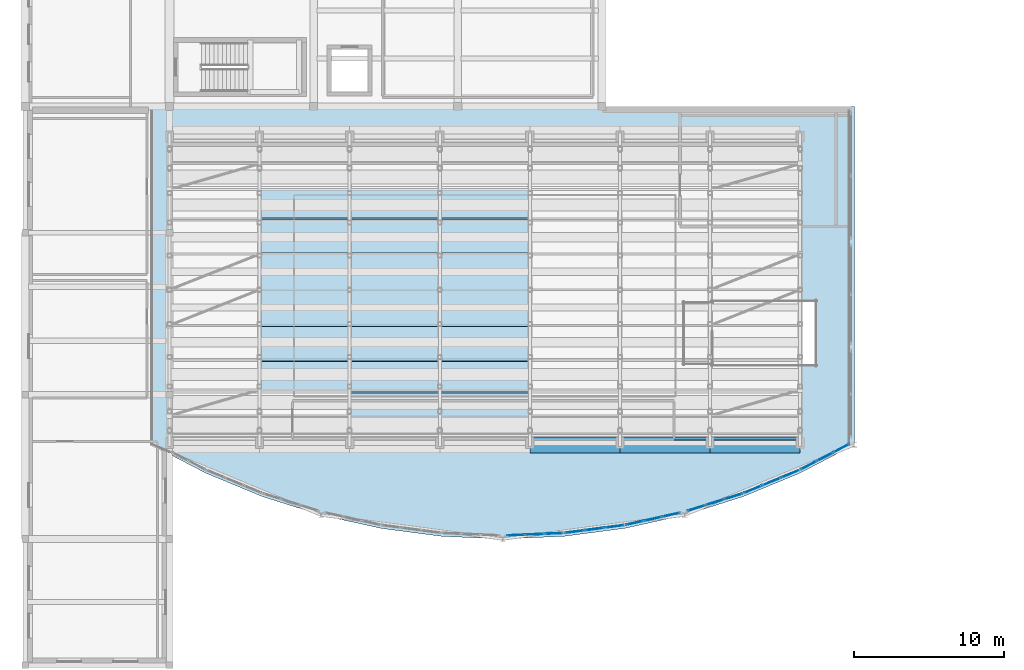
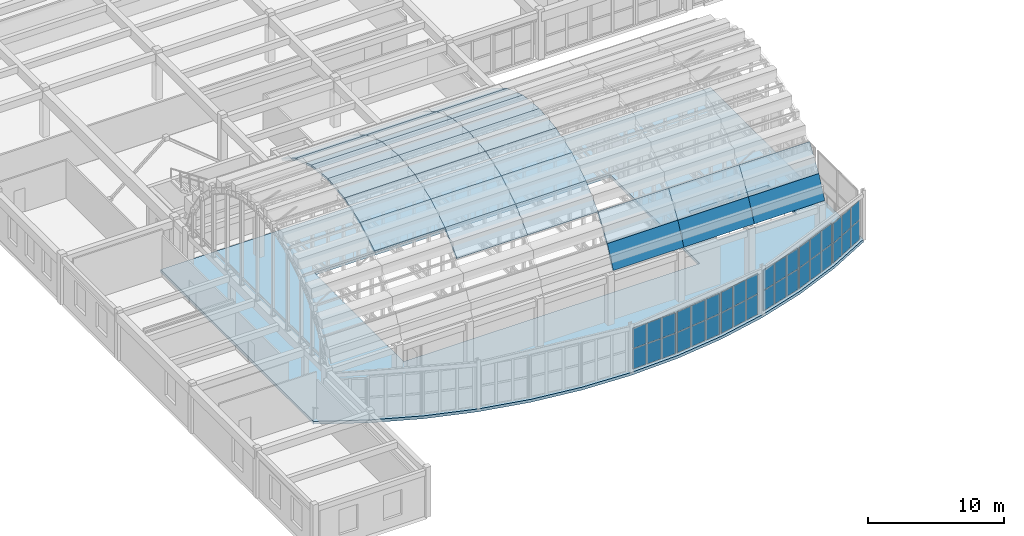
# One storey, part 57 of 91: 62 plates, 1 slab, 6 elements without a shape of their own.
"""IFC4 building model written with IfcOpenShell, lengths in metres."""

from ifc_helpers import new_model, si_unit, direction, frame, origin, origin_2d, place, context, subcontext, project, spatial, polyline, rectangle, outline, extrude, material, layer, layer_set, type_object, element, aggregate, save


model = new_model("IFC4")

# Units and contexts
model_context = context("Model", 3, precision=1e-05, world=origin(), true_north=direction((0.0, 1.0)))
body_context = subcontext(model_context, "Body", "Model", "MODEL_VIEW")
ifc_project = project(units=[si_unit("LENGTHUNIT", "METRE"), si_unit("AREAUNIT", "SQUARE_METRE"), si_unit("VOLUMEUNIT", "CUBIC_METRE"), si_unit("PLANEANGLEUNIT", "RADIAN"), si_unit("MASSUNIT", "GRAM", prefix="KILO")], contexts=[model_context])

# Site, building, storey
site_placement = place(None, origin())
site = spatial("IfcSite", under=ifc_project, at=site_placement, CompositionType="ELEMENT")
building_placement = place(site_placement, origin())
building = spatial("IfcBuilding", under=site, at=building_placement, Name="Tarnavel Promenade Courthouse", CompositionType="ELEMENT")
storey_placement = place(building_placement, frame((0.0, 0.0, 9.89990234375)))
storey = spatial("IfcBuildingStorey", under=building, at=storey_placement, Name="L03", CompositionType="ELEMENT", Elevation=9.89990234375)

# Slab
ifc_material_1 = material(Name="Concrete C40/50", Category="concrete")
ifc_layer_1 = layer(ifc_material_1, 0.260009765625)
ifc_layer_set_1 = layer_set([ifc_layer_1], Name="Concrete C40/50")
slab_type = type_object("IfcSlabType", Name="Concrete C40/50 SLB-PT-260 (260 mm)", PredefinedType="FLOOR", material=ifc_layer_set_1)
slab_placement = place(storey_placement, frame((0.0, 0.0, -0.260009765625)))
element("IfcSlab", 1, at=slab_placement, inside=storey, type_object=slab_type, Name="L03 Curved Public Hall Drum Slab", PredefinedType="FLOOR", context=body_context, shape_type="SweptSolid", body=[
    extrude(outline(polyline([(8.39990234375, 14.669921875), (12.021484375, 12.784912109375), (15.79345703125, 11.222412109375), (19.687255859375, 9.99462890625), (23.67333984375, 9.111083984375), (27.72119140625, 8.578125), (31.800048828125, 8.39990234375), (35.87890625, 8.578125), (39.9267578125, 9.111083984375), (43.912841796875, 9.99462890625), (47.806640625, 11.222412109375), (51.57861328125, 12.784912109375), (55.199951171875, 14.669921875), (55.199951171875, 37.199951171875), (8.39990234375, 37.199951171875), (8.39990234375, 14.669921875)]), holes=[polyline([(45.844970703125, 20.0), (52.60009765625, 20.0), (52.60009765625, 24.199951171875), (45.844970703125, 24.199951171875), (45.844970703125, 20.0)]), polyline([(18.0, 18.0), (43.199951171875, 18.0), (43.199951171875, 31.199951171875), (18.0, 31.199951171875), (18.0, 18.0)])]), origin(), (0.0, 0.0, 1.0), 0.260009765625),
])

# Plates
ifc_material_2 = material(Name="Standing-Seam Copper Insulated Roof Assembly")
ifc_layer_2 = layer(ifc_material_2, 0.179931640625)
ifc_layer_set_2 = layer_set([ifc_layer_2], Name="Standing-Seam Copper Insulated Roof Assembly")
plate_type_1 = type_object("IfcPlateType", Name="Standing-Seam Copper Insulated Roof Assembly PLT-VLT-V4-CROWN (180 mm)", PredefinedType="SHEET", material=ifc_layer_set_2)
plate_1_placement = place(storey_placement, frame((15.60009765625, 18.131591796875, 10.72314453125), z_axis=(0.0, -0.519833470276, 0.85426761801), x_axis=(1.0, 0.0, 0.0)))
element("IfcPlate", 2, at=plate_1_placement, inside=storey, type_object=plate_type_1, Name="Barrel Vault Roof Panel V4 Bay 02 Facet 04", PredefinedType="SHEET", context=body_context, shape_type="SweptSolid", body=[
    extrude(outline(polyline([(0.0, 0.0), (6.0, 0.0), (6.0, 2.457217210970626), (0.0, 2.457217210970626), (0.0, 0.0)])), origin(), (0.0, 0.0, -1.0), 0.179931640625),
])
plate_2_placement = place(storey_placement, frame((15.60009765625, 20.230712890625, 12.00048828125), z_axis=(0.0, -0.322063013242, 0.946718234483), x_axis=(1.0, 0.0, 0.0)))
element("IfcPlate", 3, at=plate_2_placement, inside=storey, type_object=plate_type_1, Name="Barrel Vault Roof Panel V4 Bay 02 Facet 05", PredefinedType="SHEET", context=body_context, shape_type="SweptSolid", body=[
    extrude(outline(polyline([(0.0, 0.0), (6.0, 0.0), (6.0, 2.457605728405247), (0.0, 2.457605728405247), (0.0, 0.0)])), origin(), (0.0, 0.0, -1.0), 0.179931640625),
])
for number, where, z_axis, x_axis, name in (
    (4, (15.60009765625, 22.557373046875, 12.7919921875), (0.0, -0.10909015314, 0.994031859896), (1.0, 0.0, 0.0), "Barrel Vault Roof Panel V4 Bay 02 Facet 06"),
    (5, (15.60009765625, 25.0, 13.06005859375), (0.0, 0.10909015314, 0.994031859896), (1.0, 0.0, 0.0), "Barrel Vault Roof Panel V4 Bay 02 Facet 07"),
):
    element("IfcPlate", number, at=place(storey_placement, frame(where, z_axis=z_axis, x_axis=x_axis)), inside=storey, type_object=plate_type_1, Name=name, PredefinedType="SHEET", context=body_context, shape_type="SweptSolid", body=[
        extrude(outline(polyline([(0.0, 0.0), (6.0, 0.0), (6.0, 2.457292418555942), (0.0, 2.457292418555942), (0.0, 0.0)])), origin(), (0.0, 0.0, -1.0), 0.179931640625),
    ])
plate_3_placement = place(storey_placement, frame((15.60009765625, 27.442626953125, 12.7919921875), z_axis=(0.0, 0.322063013242, 0.946718234483), x_axis=(1.0, 0.0, 0.0)))
element("IfcPlate", 6, at=plate_3_placement, inside=storey, type_object=plate_type_1, Name="Barrel Vault Roof Panel V4 Bay 02 Facet 08", PredefinedType="SHEET", context=body_context, shape_type="SweptSolid", body=[
    extrude(outline(polyline([(0.0, 0.0), (6.0, 0.0), (6.0, 2.457605728405247), (0.0, 2.457605728405247), (0.0, 0.0)])), origin(), (0.0, 0.0, -1.0), 0.179931640625),
])
for number, where, z_axis, x_axis, name in (
    (7, (15.60009765625, 29.769287109375, 12.00048828125), (0.0, 0.519833470276, 0.85426761801), (1.0, 0.0, 0.0), "Barrel Vault Roof Panel V4 Bay 02 Facet 09"),
    (8, (21.60009765625, 18.131591796875, 10.72314453125), (0.0, -0.519833470276, 0.85426761801), (1.0, 0.0, 0.0), "Barrel Vault Roof Panel V4 Bay 03 Facet 04"),
):
    element("IfcPlate", number, at=place(storey_placement, frame(where, z_axis=z_axis, x_axis=x_axis)), inside=storey, type_object=plate_type_1, Name=name, PredefinedType="SHEET", context=body_context, shape_type="SweptSolid", body=[
        extrude(outline(polyline([(0.0, 0.0), (6.0, 0.0), (6.0, 2.457217210970626), (0.0, 2.457217210970626), (0.0, 0.0)])), origin(), (0.0, 0.0, -1.0), 0.179931640625),
    ])
plate_4_placement = place(storey_placement, frame((21.60009765625, 20.230712890625, 12.00048828125), z_axis=(0.0, -0.322063013242, 0.946718234483), x_axis=(1.0, 0.0, 0.0)))
element("IfcPlate", 9, at=plate_4_placement, inside=storey, type_object=plate_type_1, Name="Barrel Vault Roof Panel V4 Bay 03 Facet 05", PredefinedType="SHEET", context=body_context, shape_type="SweptSolid", body=[
    extrude(outline(polyline([(0.0, 0.0), (6.0, 0.0), (6.0, 2.457605728405247), (0.0, 2.457605728405247), (0.0, 0.0)])), origin(), (0.0, 0.0, -1.0), 0.179931640625),
])
for number, where, z_axis, x_axis, name in (
    (10, (21.60009765625, 22.557373046875, 12.7919921875), (0.0, -0.10909015314, 0.994031859896), (1.0, 0.0, 0.0), "Barrel Vault Roof Panel V4 Bay 03 Facet 06"),
    (11, (21.60009765625, 25.0, 13.06005859375), (0.0, 0.10909015314, 0.994031859896), (1.0, 0.0, 0.0), "Barrel Vault Roof Panel V4 Bay 03 Facet 07"),
):
    element("IfcPlate", number, at=place(storey_placement, frame(where, z_axis=z_axis, x_axis=x_axis)), inside=storey, type_object=plate_type_1, Name=name, PredefinedType="SHEET", context=body_context, shape_type="SweptSolid", body=[
        extrude(outline(polyline([(0.0, 0.0), (6.0, 0.0), (6.0, 2.457292418555942), (0.0, 2.457292418555942), (0.0, 0.0)])), origin(), (0.0, 0.0, -1.0), 0.179931640625),
    ])
plate_5_placement = place(storey_placement, frame((21.60009765625, 27.442626953125, 12.7919921875), z_axis=(0.0, 0.322063013242, 0.946718234483), x_axis=(1.0, 0.0, 0.0)))
element("IfcPlate", 12, at=plate_5_placement, inside=storey, type_object=plate_type_1, Name="Barrel Vault Roof Panel V4 Bay 03 Facet 08", PredefinedType="SHEET", context=body_context, shape_type="SweptSolid", body=[
    extrude(outline(polyline([(0.0, 0.0), (6.0, 0.0), (6.0, 2.457605728405247), (0.0, 2.457605728405247), (0.0, 0.0)])), origin(), (0.0, 0.0, -1.0), 0.179931640625),
])
for number, where, z_axis, x_axis, name in (
    (13, (21.60009765625, 29.769287109375, 12.00048828125), (0.0, 0.519833470276, 0.85426761801), (1.0, 0.0, 0.0), "Barrel Vault Roof Panel V4 Bay 03 Facet 09"),
    (14, (27.60009765625, 18.131591796875, 10.72314453125), (0.0, -0.519833470276, 0.85426761801), (1.0, 0.0, 0.0), "Barrel Vault Roof Panel V4 Bay 04 Facet 04"),
):
    element("IfcPlate", number, at=place(storey_placement, frame(where, z_axis=z_axis, x_axis=x_axis)), inside=storey, type_object=plate_type_1, Name=name, PredefinedType="SHEET", context=body_context, shape_type="SweptSolid", body=[
        extrude(outline(polyline([(0.0, 0.0), (6.0, 0.0), (6.0, 2.457217210970626), (0.0, 2.457217210970626), (0.0, 0.0)])), origin(), (0.0, 0.0, -1.0), 0.179931640625),
    ])
plate_6_placement = place(storey_placement, frame((27.60009765625, 20.230712890625, 12.00048828125), z_axis=(0.0, -0.322063013242, 0.946718234483), x_axis=(1.0, 0.0, 0.0)))
element("IfcPlate", 15, at=plate_6_placement, inside=storey, type_object=plate_type_1, Name="Barrel Vault Roof Panel V4 Bay 04 Facet 05", PredefinedType="SHEET", context=body_context, shape_type="SweptSolid", body=[
    extrude(outline(polyline([(0.0, 0.0), (6.0, 0.0), (6.0, 2.457605728405247), (0.0, 2.457605728405247), (0.0, 0.0)])), origin(), (0.0, 0.0, -1.0), 0.179931640625),
])
for number, where, z_axis, x_axis, name in (
    (16, (27.60009765625, 22.557373046875, 12.7919921875), (0.0, -0.10909015314, 0.994031859896), (1.0, 0.0, 0.0), "Barrel Vault Roof Panel V4 Bay 04 Facet 06"),
    (17, (27.60009765625, 25.0, 13.06005859375), (0.0, 0.10909015314, 0.994031859896), (1.0, 0.0, 0.0), "Barrel Vault Roof Panel V4 Bay 04 Facet 07"),
):
    element("IfcPlate", number, at=place(storey_placement, frame(where, z_axis=z_axis, x_axis=x_axis)), inside=storey, type_object=plate_type_1, Name=name, PredefinedType="SHEET", context=body_context, shape_type="SweptSolid", body=[
        extrude(outline(polyline([(0.0, 0.0), (6.0, 0.0), (6.0, 2.457292418555942), (0.0, 2.457292418555942), (0.0, 0.0)])), origin(), (0.0, 0.0, -1.0), 0.179931640625),
    ])
plate_7_placement = place(storey_placement, frame((27.60009765625, 27.442626953125, 12.7919921875), z_axis=(0.0, 0.322063013242, 0.946718234483), x_axis=(1.0, 0.0, 0.0)))
element("IfcPlate", 18, at=plate_7_placement, inside=storey, type_object=plate_type_1, Name="Barrel Vault Roof Panel V4 Bay 04 Facet 08", PredefinedType="SHEET", context=body_context, shape_type="SweptSolid", body=[
    extrude(outline(polyline([(0.0, 0.0), (6.0, 0.0), (6.0, 2.457605728405247), (0.0, 2.457605728405247), (0.0, 0.0)])), origin(), (0.0, 0.0, -1.0), 0.179931640625),
])
plate_8_placement = place(storey_placement, frame((27.60009765625, 29.769287109375, 12.00048828125), z_axis=(0.0, 0.519833470276, 0.85426761801), x_axis=(1.0, 0.0, 0.0)))
element("IfcPlate", 19, at=plate_8_placement, inside=storey, type_object=plate_type_1, Name="Barrel Vault Roof Panel V4 Bay 04 Facet 09", PredefinedType="SHEET", context=body_context, shape_type="SweptSolid", body=[
    extrude(outline(polyline([(0.0, 0.0), (6.0, 0.0), (6.0, 2.457217210970626), (0.0, 2.457217210970626), (0.0, 0.0)])), origin(), (0.0, 0.0, -1.0), 0.179931640625),
])
ifc_layer_3 = layer(ifc_material_2, 0.175048828125)
ifc_layer_set_3 = layer_set([ifc_layer_3], Name="Standing-Seam Copper Insulated Roof Assembly")
plate_type_2 = type_object("IfcPlateType", Name="Standing-Seam Copper Insulated Roof Assembly PLT-VLT-V4-LOW (175 mm)", PredefinedType="SHEET", material=ifc_layer_set_3)
for number, where, z_axis, x_axis, name in (
    (20, (21.60009765625, 16.359130859375, 9.020751953125), (0.0, -0.692707578218, 0.721218559855), (1.0, 0.0, 0.0), "Barrel Vault Roof Panel V4 Bay 03 Facet 03"),
    (21, (27.60009765625, 16.359130859375, 9.020751953125), (0.0, -0.692707578218, 0.721218559855), (1.0, 0.0, 0.0), "Barrel Vault Roof Panel V4 Bay 04 Facet 03"),
):
    element("IfcPlate", number, at=place(storey_placement, frame(where, z_axis=z_axis, x_axis=x_axis)), inside=storey, type_object=plate_type_2, Name=name, PredefinedType="SHEET", context=body_context, shape_type="SweptSolid", body=[
        extrude(outline(polyline([(0.0, 0.0), (6.0, 0.0), (6.0, 2.4575919647123), (0.0, 2.4575919647123), (0.0, 0.0)])), origin(), (0.0, 0.0, -1.0), 0.175048828125),
    ])
plate_9_placement = place(storey_placement, frame((33.60009765625, 14.11376953125, 5.080078125), z_axis=(0.0, -0.906108548718, 0.423045267011), x_axis=(1.0, 0.0, 0.0)))
element("IfcPlate", 22, at=plate_9_placement, inside=storey, type_object=plate_type_2, Name="Barrel Vault Roof Panel V4 Bay 05 Facet 01", PredefinedType="SHEET", context=body_context, shape_type="SweptSolid", body=[
    extrude(outline(polyline([(0.0, 0.0), (6.0, 0.0), (6.0, 2.0908435889725268), (0.0, 2.0908435889725268), (0.0, 0.0)])), origin(), (0.0, 0.0, -1.0), 0.175048828125),
])
plate_10_placement = place(storey_placement, frame((33.60009765625, 14.998291015625, 6.974609375), z_axis=(0.0, -0.83266118003, 0.553782772639), x_axis=(1.0, 0.0, 0.0)))
element("IfcPlate", 23, at=plate_10_placement, inside=storey, type_object=plate_type_2, Name="Barrel Vault Roof Panel V4 Bay 05 Facet 02", PredefinedType="SHEET", context=body_context, shape_type="SweptSolid", body=[
    extrude(outline(polyline([(0.0, 0.0), (6.0, 0.0), (6.0, 2.457353155399839), (0.0, 2.457353155399839), (0.0, 0.0)])), origin(), (0.0, 0.0, -1.0), 0.175048828125),
])
plate_11_placement = place(storey_placement, frame((39.60009765625, 14.11376953125, 5.080078125), z_axis=(0.0, -0.906108548718, 0.423045267011), x_axis=(1.0, 0.0, 0.0)))
element("IfcPlate", 24, at=plate_11_placement, inside=storey, type_object=plate_type_2, Name="Barrel Vault Roof Panel V4 Bay 06 Facet 01", PredefinedType="SHEET", context=body_context, shape_type="SweptSolid", body=[
    extrude(outline(polyline([(0.0, 0.0), (6.0, 0.0), (6.0, 2.0908435889725268), (0.0, 2.0908435889725268), (0.0, 0.0)])), origin(), (0.0, 0.0, -1.0), 0.175048828125),
])
plate_12_placement = place(storey_placement, frame((39.60009765625, 14.998291015625, 6.974609375), z_axis=(0.0, -0.83266118003, 0.553782772639), x_axis=(1.0, 0.0, 0.0)))
element("IfcPlate", 25, at=plate_12_placement, inside=storey, type_object=plate_type_2, Name="Barrel Vault Roof Panel V4 Bay 06 Facet 02", PredefinedType="SHEET", context=body_context, shape_type="SweptSolid", body=[
    extrude(outline(polyline([(0.0, 0.0), (6.0, 0.0), (6.0, 2.457353155399839), (0.0, 2.457353155399839), (0.0, 0.0)])), origin(), (0.0, 0.0, -1.0), 0.175048828125),
])
plate_13_placement = place(storey_placement, frame((45.60009765625, 14.11376953125, 5.080078125), z_axis=(0.0, -0.906108548718, 0.423045267011), x_axis=(1.0, 0.0, 0.0)))
element("IfcPlate", 26, at=plate_13_placement, inside=storey, type_object=plate_type_2, Name="Barrel Vault Roof Panel V4 Bay 07 Facet 01", PredefinedType="SHEET", context=body_context, shape_type="SweptSolid", body=[
    extrude(outline(polyline([(0.0, 0.0), (6.0, 0.0), (6.0, 2.0908435889725268), (0.0, 2.0908435889725268), (0.0, 0.0)])), origin(), (0.0, 0.0, -1.0), 0.175048828125),
])
plate_14_placement = place(storey_placement, frame((45.60009765625, 14.998291015625, 6.974609375), z_axis=(0.0, -0.83266118003, 0.553782772639), x_axis=(1.0, 0.0, 0.0)))
element("IfcPlate", 27, at=plate_14_placement, inside=storey, type_object=plate_type_2, Name="Barrel Vault Roof Panel V4 Bay 07 Facet 02", PredefinedType="SHEET", context=body_context, shape_type="SweptSolid", body=[
    extrude(outline(polyline([(0.0, 0.0), (6.0, 0.0), (6.0, 2.457353155399839), (0.0, 2.457353155399839), (0.0, 0.0)])), origin(), (0.0, 0.0, -1.0), 0.175048828125),
])

# Curtain wall, plates
ifc_material_3 = material(Name="Thermally Broken Anodised Aluminium Curtain Wall System", Category="aluminium")
ifc_layer_4 = layer(ifc_material_3, 0.219970703125)
ifc_layer_set_4 = layer_set([ifc_layer_4], Name="Thermally Broken Anodised Aluminium Curtain Wall System")
curtain_wall_type = type_object("IfcCurtainWallType", Name="Thermally Broken Aluminium Triple-Glazed Curtain Wall CW-DRUM", PredefinedType="NOTDEFINED", material=ifc_layer_set_4)
curtain_wall_1_placement = place(storey_placement, origin())
curtain_wall_1 = element("IfcCurtainWall", 28, at=curtain_wall_1_placement, inside=storey, type_object=curtain_wall_type, Name="L03 Public Hall Drum Curtain Wall 033", PredefinedType="NOTDEFINED")
ifc_material_4 = material(Name="Triple Low-E Argon Insulated Glazing", Category="glass")
ifc_layer_5 = layer(ifc_material_4, 0.048095703125)
ifc_layer_set_5 = layer_set([ifc_layer_5], Name="Triple Low-E Argon Insulated Glazing")
plate_type_3 = type_object("IfcPlateType", Name="Triple Low-E Argon Insulated Glazing Unit CWP-48 (48 mm)", PredefinedType="CURTAIN_PANEL", material=ifc_layer_set_5)
plate_15_placement = place(storey_placement, frame((32.660888671875, 8.657470703125, 0.080078125), z_axis=(0.0, 0.0, 1.0), x_axis=(0.999048255156, 0.04361861839, 0.0)))
plate_15 = element("IfcPlate", 29, at=plate_15_placement, type_object=plate_type_3, Name="CW-01 panel 1.1", PredefinedType="CURTAIN_PANEL", context=body_context, shape_type="SweptSolid", body=[
    extrude(rectangle(XDim=1.162353515625, YDim=0.048095703125, at=origin_2d()), origin(), (0.0, 0.0, 1.0), 1.794921875),
])
plate_16_placement = place(storey_placement, frame((32.660888671875, 8.657470703125, 1.955078125), z_axis=(0.0, 0.0, 1.0), x_axis=(0.999048255156, 0.04361861839, 0.0)))
plate_16 = element("IfcPlate", 30, at=plate_16_placement, type_object=plate_type_3, Name="CW-01 panel 1.2", PredefinedType="CURTAIN_PANEL", context=body_context, shape_type="SweptSolid", body=[
    extrude(rectangle(XDim=1.162353515625, YDim=0.048095703125, at=origin_2d()), origin(), (0.0, 0.0, 1.0), 1.794921875),
])
plate_17_placement = place(storey_placement, frame((33.9345703125, 8.713134765625, 0.080078125), z_axis=(0.0, 0.0, 1.0), x_axis=(0.999048255156, 0.04361861839, 0.0)))
plate_17 = element("IfcPlate", 31, at=plate_17_placement, type_object=plate_type_3, Name="CW-01 panel 2.1", PredefinedType="CURTAIN_PANEL", context=body_context, shape_type="SweptSolid", body=[
    extrude(rectangle(XDim=1.20751953125, YDim=0.048095703125, at=origin_2d()), origin(), (0.0, 0.0, 1.0), 1.794921875),
])
plate_18_placement = place(storey_placement, frame((33.9345703125, 8.713134765625, 1.955078125), z_axis=(0.0, 0.0, 1.0), x_axis=(0.999048255156, 0.04361861839, 0.0)))
plate_18 = element("IfcPlate", 32, at=plate_18_placement, type_object=plate_type_3, Name="CW-01 panel 2.2", PredefinedType="CURTAIN_PANEL", context=body_context, shape_type="SweptSolid", body=[
    extrude(rectangle(XDim=1.20751953125, YDim=0.048095703125, at=origin_2d()), origin(), (0.0, 0.0, 1.0), 1.794921875),
])
plate_19_placement = place(storey_placement, frame((35.208251953125, 8.768798828125, 0.080078125), z_axis=(0.0, 0.0, 1.0), x_axis=(0.999048255156, 0.04361861839, 0.0)))
plate_19 = element("IfcPlate", 33, at=plate_19_placement, type_object=plate_type_3, Name="CW-01 panel 3.1", PredefinedType="CURTAIN_PANEL", context=body_context, shape_type="SweptSolid", body=[
    extrude(rectangle(XDim=1.162353515625, YDim=0.048095703125, at=origin_2d()), origin(), (0.0, 0.0, 1.0), 1.794921875),
])
plate_20_placement = place(storey_placement, frame((35.208251953125, 8.768798828125, 1.955078125), z_axis=(0.0, 0.0, 1.0), x_axis=(0.999048255156, 0.04361861839, 0.0)))
plate_20 = element("IfcPlate", 34, at=plate_20_placement, type_object=plate_type_3, Name="CW-01 panel 3.2", PredefinedType="CURTAIN_PANEL", context=body_context, shape_type="SweptSolid", body=[
    extrude(rectangle(XDim=1.162353515625, YDim=0.048095703125, at=origin_2d()), origin(), (0.0, 0.0, 1.0), 1.794921875),
])
aggregate(curtain_wall_1, [plate_15, plate_16, plate_17, plate_18, plate_19, plate_20])

curtain_wall_2_placement = place(storey_placement, origin())
curtain_wall_2 = element("IfcCurtainWall", 35, at=curtain_wall_2_placement, inside=storey, type_object=curtain_wall_type, Name="L03 Public Hall Drum Curtain Wall 034", PredefinedType="NOTDEFINED")
plate_21_placement = place(storey_placement, frame((36.575927734375, 8.889892578125, 0.080078125), z_axis=(0.0, 0.0, 1.0), x_axis=(0.991444847502, 0.130526297584, 0.0)))
plate_21 = element("IfcPlate", 36, at=plate_21_placement, type_object=plate_type_3, Name="CW-01 panel 1.1", PredefinedType="CURTAIN_PANEL", context=body_context, shape_type="SweptSolid", body=[
    extrude(rectangle(XDim=1.225830078125, YDim=0.048095703125, at=origin_2d()), origin(), (0.0, 0.0, 1.0), 1.794921875),
])
plate_22_placement = place(storey_placement, frame((36.575927734375, 8.889892578125, 1.955078125), z_axis=(0.0, 0.0, 1.0), x_axis=(0.991444847502, 0.130526297584, 0.0)))
plate_22 = element("IfcPlate", 37, at=plate_22_placement, type_object=plate_type_3, Name="CW-01 panel 1.2", PredefinedType="CURTAIN_PANEL", context=body_context, shape_type="SweptSolid", body=[
    extrude(rectangle(XDim=1.225830078125, YDim=0.048095703125, at=origin_2d()), origin(), (0.0, 0.0, 1.0), 1.794921875),
])
plate_23_placement = place(storey_placement, frame((37.90283203125, 9.064453125, 0.080078125), z_axis=(0.0, 0.0, 1.0), x_axis=(0.991444847502, 0.130526297584, 0.0)))
plate_23 = element("IfcPlate", 38, at=plate_23_placement, type_object=plate_type_3, Name="CW-01 panel 2.1", PredefinedType="CURTAIN_PANEL", context=body_context, shape_type="SweptSolid", body=[
    extrude(rectangle(XDim=1.27099609375, YDim=0.048095703125, at=origin_2d()), origin(), (0.0, 0.0, 1.0), 1.794921875),
])
plate_24_placement = place(storey_placement, frame((37.90283203125, 9.064453125, 1.955078125), z_axis=(0.0, 0.0, 1.0), x_axis=(0.991444847502, 0.130526297584, 0.0)))
plate_24 = element("IfcPlate", 39, at=plate_24_placement, type_object=plate_type_3, Name="CW-01 panel 2.2", PredefinedType="CURTAIN_PANEL", context=body_context, shape_type="SweptSolid", body=[
    extrude(rectangle(XDim=1.27099609375, YDim=0.048095703125, at=origin_2d()), origin(), (0.0, 0.0, 1.0), 1.794921875),
])
plate_25_placement = place(storey_placement, frame((39.229736328125, 9.2392578125, 0.080078125), z_axis=(0.0, 0.0, 1.0), x_axis=(0.991444847502, 0.130526297584, 0.0)))
plate_25 = element("IfcPlate", 40, at=plate_25_placement, type_object=plate_type_3, Name="CW-01 panel 3.1", PredefinedType="CURTAIN_PANEL", context=body_context, shape_type="SweptSolid", body=[
    extrude(rectangle(XDim=1.225830078125, YDim=0.048095703125, at=origin_2d()), origin(), (0.0, 0.0, 1.0), 1.794921875),
])
plate_26_placement = place(storey_placement, frame((39.229736328125, 9.2392578125, 1.955078125), z_axis=(0.0, 0.0, 1.0), x_axis=(0.991444847502, 0.130526297584, 0.0)))
plate_26 = element("IfcPlate", 41, at=plate_26_placement, type_object=plate_type_3, Name="CW-01 panel 3.2", PredefinedType="CURTAIN_PANEL", context=body_context, shape_type="SweptSolid", body=[
    extrude(rectangle(XDim=1.225830078125, YDim=0.048095703125, at=origin_2d()), origin(), (0.0, 0.0, 1.0), 1.794921875),
])
aggregate(curtain_wall_2, [plate_21, plate_22, plate_23, plate_24, plate_25, plate_26])

curtain_wall_3_placement = place(storey_placement, origin())
curtain_wall_3 = element("IfcCurtainWall", 42, at=curtain_wall_3_placement, inside=storey, type_object=curtain_wall_type, Name="L03 Public Hall Drum Curtain Wall 035", PredefinedType="NOTDEFINED")
plate_27_placement = place(storey_placement, frame((40.57275390625, 9.47412109375, 0.080078125), z_axis=(0.0, 0.0, 1.0), x_axis=(0.97629620491, 0.216438721763, 0.0)))
plate_27 = element("IfcPlate", 43, at=plate_27_placement, type_object=plate_type_3, Name="CW-01 panel 1.1", PredefinedType="CURTAIN_PANEL", context=body_context, shape_type="SweptSolid", body=[
    extrude(rectangle(XDim=1.143310546875, YDim=0.048095703125, at=origin_2d()), origin(), (0.0, 0.0, 1.0), 1.794921875),
])
plate_28_placement = place(storey_placement, frame((40.57275390625, 9.47412109375, 1.955078125), z_axis=(0.0, 0.0, 1.0), x_axis=(0.97629620491, 0.216438721763, 0.0)))
plate_28 = element("IfcPlate", 44, at=plate_28_placement, type_object=plate_type_3, Name="CW-01 panel 1.2", PredefinedType="CURTAIN_PANEL", context=body_context, shape_type="SweptSolid", body=[
    extrude(rectangle(XDim=1.143310546875, YDim=0.048095703125, at=origin_2d()), origin(), (0.0, 0.0, 1.0), 1.794921875),
])
plate_29_placement = place(storey_placement, frame((41.798828125, 9.74609375, 0.080078125), z_axis=(0.0, 0.0, 1.0), x_axis=(0.97629620491, 0.216438721763, 0.0)))
plate_29 = element("IfcPlate", 45, at=plate_29_placement, type_object=plate_type_3, Name="CW-01 panel 2.1", PredefinedType="CURTAIN_PANEL", context=body_context, shape_type="SweptSolid", body=[
    extrude(rectangle(XDim=1.1884765625, YDim=0.048095703125, at=origin_2d()), origin(), (0.0, 0.0, 1.0), 1.794921875),
])
plate_30_placement = place(storey_placement, frame((41.798828125, 9.74609375, 1.955078125), z_axis=(0.0, 0.0, 1.0), x_axis=(0.97629620491, 0.216438721763, 0.0)))
plate_30 = element("IfcPlate", 46, at=plate_30_placement, type_object=plate_type_3, Name="CW-01 panel 2.2", PredefinedType="CURTAIN_PANEL", context=body_context, shape_type="SweptSolid", body=[
    extrude(rectangle(XDim=1.1884765625, YDim=0.048095703125, at=origin_2d()), origin(), (0.0, 0.0, 1.0), 1.794921875),
])
plate_31_placement = place(storey_placement, frame((43.02490234375, 10.017822265625, 0.080078125), z_axis=(0.0, 0.0, 1.0), x_axis=(0.97629620491, 0.216438721763, 0.0)))
plate_31 = element("IfcPlate", 47, at=plate_31_placement, type_object=plate_type_3, Name="CW-01 panel 3.1", PredefinedType="CURTAIN_PANEL", context=body_context, shape_type="SweptSolid", body=[
    extrude(rectangle(XDim=1.143310546875, YDim=0.048095703125, at=origin_2d()), origin(), (0.0, 0.0, 1.0), 1.794921875),
])
plate_32_placement = place(storey_placement, frame((43.02490234375, 10.017822265625, 1.955078125), z_axis=(0.0, 0.0, 1.0), x_axis=(0.97629620491, 0.216438721763, 0.0)))
plate_32 = element("IfcPlate", 48, at=plate_32_placement, type_object=plate_type_3, Name="CW-01 panel 3.2", PredefinedType="CURTAIN_PANEL", context=body_context, shape_type="SweptSolid", body=[
    extrude(rectangle(XDim=1.143310546875, YDim=0.048095703125, at=origin_2d()), origin(), (0.0, 0.0, 1.0), 1.794921875),
])
aggregate(curtain_wall_3, [plate_27, plate_28, plate_29, plate_30, plate_31, plate_32])

curtain_wall_4_placement = place(storey_placement, origin())
curtain_wall_4 = element("IfcCurtainWall", 49, at=curtain_wall_4_placement, inside=storey, type_object=curtain_wall_type, Name="L03 Public Hall Drum Curtain Wall 036", PredefinedType="NOTDEFINED")
plate_33_placement = place(storey_placement, frame((44.689453125, 10.45947265625, 0.080078125), z_axis=(0.0, 0.0, 1.0), x_axis=(0.953717095465, 0.300705340521, 0.0)))
plate_33 = element("IfcPlate", 50, at=plate_33_placement, type_object=plate_type_3, Name="CW-01 panel 1.1", PredefinedType="CURTAIN_PANEL", context=body_context, shape_type="SweptSolid", body=[
    extrude(rectangle(XDim=1.181396484375, YDim=0.048095703125, at=origin_2d()), origin(), (0.0, 0.0, 1.0), 1.794921875),
])
plate_34_placement = place(storey_placement, frame((44.689453125, 10.45947265625, 1.955078125), z_axis=(0.0, 0.0, 1.0), x_axis=(0.953717095465, 0.300705340521, 0.0)))
plate_34 = element("IfcPlate", 51, at=plate_34_placement, type_object=plate_type_3, Name="CW-01 panel 1.2", PredefinedType="CURTAIN_PANEL", context=body_context, shape_type="SweptSolid", body=[
    extrude(rectangle(XDim=1.181396484375, YDim=0.048095703125, at=origin_2d()), origin(), (0.0, 0.0, 1.0), 1.794921875),
])
plate_35_placement = place(storey_placement, frame((45.92333984375, 10.8486328125, 0.080078125), z_axis=(0.0, 0.0, 1.0), x_axis=(0.953717095465, 0.300705340521, 0.0)))
plate_35 = element("IfcPlate", 52, at=plate_35_placement, type_object=plate_type_3, Name="CW-01 panel 2.1", PredefinedType="CURTAIN_PANEL", context=body_context, shape_type="SweptSolid", body=[
    extrude(rectangle(XDim=1.226318359375, YDim=0.048095703125, at=origin_2d()), origin(), (0.0, 0.0, 1.0), 1.794921875),
])
plate_36_placement = place(storey_placement, frame((45.92333984375, 10.8486328125, 1.955078125), z_axis=(0.0, 0.0, 1.0), x_axis=(0.953717095465, 0.300705340521, 0.0)))
plate_36 = element("IfcPlate", 53, at=plate_36_placement, type_object=plate_type_3, Name="CW-01 panel 2.2", PredefinedType="CURTAIN_PANEL", context=body_context, shape_type="SweptSolid", body=[
    extrude(rectangle(XDim=1.226318359375, YDim=0.048095703125, at=origin_2d()), origin(), (0.0, 0.0, 1.0), 1.794921875),
])
plate_37_placement = place(storey_placement, frame((47.157470703125, 11.23779296875, 0.080078125), z_axis=(0.0, 0.0, 1.0), x_axis=(0.953717095465, 0.300705340521, 0.0)))
plate_37 = element("IfcPlate", 54, at=plate_37_placement, type_object=plate_type_3, Name="CW-01 panel 3.1", PredefinedType="CURTAIN_PANEL", context=body_context, shape_type="SweptSolid", body=[
    extrude(rectangle(XDim=1.181396484375, YDim=0.048095703125, at=origin_2d()), origin(), (0.0, 0.0, 1.0), 1.794921875),
])
plate_38_placement = place(storey_placement, frame((47.157470703125, 11.23779296875, 1.955078125), z_axis=(0.0, 0.0, 1.0), x_axis=(0.953717095465, 0.300705340521, 0.0)))
plate_38 = element("IfcPlate", 55, at=plate_38_placement, type_object=plate_type_3, Name="CW-01 panel 3.2", PredefinedType="CURTAIN_PANEL", context=body_context, shape_type="SweptSolid", body=[
    extrude(rectangle(XDim=1.181396484375, YDim=0.048095703125, at=origin_2d()), origin(), (0.0, 0.0, 1.0), 1.794921875),
])
aggregate(curtain_wall_4, [plate_33, plate_34, plate_35, plate_36, plate_37, plate_38])

curtain_wall_5_placement = place(storey_placement, origin())
curtain_wall_5 = element("IfcCurtainWall", 56, at=curtain_wall_5_placement, inside=storey, type_object=curtain_wall_type, Name="L03 Public Hall Drum Curtain Wall 037", PredefinedType="NOTDEFINED")
plate_39_placement = place(storey_placement, frame((48.4560546875, 11.71142578125, 0.080078125), z_axis=(0.0, 0.0, 1.0), x_axis=(0.923878974593, 0.382684779296, 0.0)))
plate_39 = element("IfcPlate", 57, at=plate_39_placement, type_object=plate_type_3, Name="CW-01 panel 1.1", PredefinedType="CURTAIN_PANEL", context=body_context, shape_type="SweptSolid", body=[
    extrude(rectangle(XDim=1.225830078125, YDim=0.048095703125, at=origin_2d()), origin(), (0.0, 0.0, 1.0), 1.794921875),
])
plate_40_placement = place(storey_placement, frame((48.4560546875, 11.71142578125, 1.955078125), z_axis=(0.0, 0.0, 1.0), x_axis=(0.923878974593, 0.382684779296, 0.0)))
plate_40 = element("IfcPlate", 58, at=plate_40_placement, type_object=plate_type_3, Name="CW-01 panel 1.2", PredefinedType="CURTAIN_PANEL", context=body_context, shape_type="SweptSolid", body=[
    extrude(rectangle(XDim=1.225830078125, YDim=0.048095703125, at=origin_2d()), origin(), (0.0, 0.0, 1.0), 1.794921875),
])
plate_41_placement = place(storey_placement, frame((49.692626953125, 12.2236328125, 0.080078125), z_axis=(0.0, 0.0, 1.0), x_axis=(0.923878974593, 0.382684779296, 0.0)))
plate_41 = element("IfcPlate", 59, at=plate_41_placement, type_object=plate_type_3, Name="CW-01 panel 2.1", PredefinedType="CURTAIN_PANEL", context=body_context, shape_type="SweptSolid", body=[
    extrude(rectangle(XDim=1.27099609375, YDim=0.048095703125, at=origin_2d()), origin(), (0.0, 0.0, 1.0), 1.794921875),
])
plate_42_placement = place(storey_placement, frame((49.692626953125, 12.2236328125, 1.955078125), z_axis=(0.0, 0.0, 1.0), x_axis=(0.923878974593, 0.382684779296, 0.0)))
plate_42 = element("IfcPlate", 60, at=plate_42_placement, type_object=plate_type_3, Name="CW-01 panel 2.2", PredefinedType="CURTAIN_PANEL", context=body_context, shape_type="SweptSolid", body=[
    extrude(rectangle(XDim=1.27099609375, YDim=0.048095703125, at=origin_2d()), origin(), (0.0, 0.0, 1.0), 1.794921875),
])
plate_43_placement = place(storey_placement, frame((50.92919921875, 12.73583984375, 0.080078125), z_axis=(0.0, 0.0, 1.0), x_axis=(0.923878974593, 0.382684779296, 0.0)))
plate_43 = element("IfcPlate", 61, at=plate_43_placement, type_object=plate_type_3, Name="CW-01 panel 3.1", PredefinedType="CURTAIN_PANEL", context=body_context, shape_type="SweptSolid", body=[
    extrude(rectangle(XDim=1.225830078125, YDim=0.048095703125, at=origin_2d()), origin(), (0.0, 0.0, 1.0), 1.794921875),
])
plate_44_placement = place(storey_placement, frame((50.92919921875, 12.73583984375, 1.955078125), z_axis=(0.0, 0.0, 1.0), x_axis=(0.923878974593, 0.382684779296, 0.0)))
plate_44 = element("IfcPlate", 62, at=plate_44_placement, type_object=plate_type_3, Name="CW-01 panel 3.2", PredefinedType="CURTAIN_PANEL", context=body_context, shape_type="SweptSolid", body=[
    extrude(rectangle(XDim=1.225830078125, YDim=0.048095703125, at=origin_2d()), origin(), (0.0, 0.0, 1.0), 1.794921875),
])
aggregate(curtain_wall_5, [plate_39, plate_40, plate_41, plate_42, plate_43, plate_44])

curtain_wall_6_placement = place(storey_placement, origin())
curtain_wall_6 = element("IfcCurtainWall", 63, at=curtain_wall_6_placement, inside=storey, type_object=curtain_wall_type, Name="L03 Public Hall Drum Curtain Wall 038", PredefinedType="NOTDEFINED")
plate_45_placement = place(storey_placement, frame((52.157470703125, 13.30615234375, 0.080078125), z_axis=(0.0, 0.0, 1.0), x_axis=(0.887011467842, 0.461747394054, 0.0)))
plate_45 = element("IfcPlate", 64, at=plate_45_placement, type_object=plate_type_3, Name="CW-01 panel 1.1", PredefinedType="CURTAIN_PANEL", context=body_context, shape_type="SweptSolid", body=[
    extrude(rectangle(XDim=1.12548828125, YDim=0.048095703125, at=origin_2d()), origin(), (0.0, 0.0, 1.0), 1.719970703125),
])
plate_46_placement = place(storey_placement, frame((52.157470703125, 13.30615234375, 1.8798828125), z_axis=(0.0, 0.0, 1.0), x_axis=(0.887011467842, 0.461747394054, 0.0)))
plate_46 = element("IfcPlate", 65, at=plate_46_placement, type_object=plate_type_3, Name="CW-01 panel 1.2", PredefinedType="CURTAIN_PANEL", context=body_context, shape_type="SweptSolid", body=[
    extrude(rectangle(XDim=1.12548828125, YDim=0.048095703125, at=origin_2d()), origin(), (0.0, 0.0, 1.0), 1.719970703125),
])
plate_47_placement = place(storey_placement, frame((53.255615234375, 13.877685546875, 0.080078125), z_axis=(0.0, 0.0, 1.0), x_axis=(0.887011467842, 0.461747394054, 0.0)))
plate_47 = element("IfcPlate", 66, at=plate_47_placement, type_object=plate_type_3, Name="CW-01 panel 2.1", PredefinedType="CURTAIN_PANEL", context=body_context, shape_type="SweptSolid", body=[
    extrude(rectangle(XDim=1.17041015625, YDim=0.048095703125, at=origin_2d()), origin(), (0.0, 0.0, 1.0), 1.719970703125),
])
plate_48_placement = place(storey_placement, frame((53.255615234375, 13.877685546875, 1.8798828125), z_axis=(0.0, 0.0, 1.0), x_axis=(0.887011467842, 0.461747394054, 0.0)))
plate_48 = element("IfcPlate", 67, at=plate_48_placement, type_object=plate_type_3, Name="CW-01 panel 2.2", PredefinedType="CURTAIN_PANEL", context=body_context, shape_type="SweptSolid", body=[
    extrude(rectangle(XDim=1.17041015625, YDim=0.048095703125, at=origin_2d()), origin(), (0.0, 0.0, 1.0), 1.719970703125),
])
plate_49_placement = place(storey_placement, frame((54.353515625, 14.449462890625, 0.080078125), z_axis=(0.0, 0.0, 1.0), x_axis=(0.887011467842, 0.461747394054, 0.0)))
plate_49 = element("IfcPlate", 68, at=plate_49_placement, type_object=plate_type_3, Name="CW-01 panel 3.1", PredefinedType="CURTAIN_PANEL", context=body_context, shape_type="SweptSolid", body=[
    extrude(rectangle(XDim=1.12548828125, YDim=0.048095703125, at=origin_2d()), origin(), (0.0, 0.0, 1.0), 1.719970703125),
])
plate_50_placement = place(storey_placement, frame((54.353515625, 14.449462890625, 1.8798828125), z_axis=(0.0, 0.0, 1.0), x_axis=(0.887011467842, 0.461747394054, 0.0)))
plate_50 = element("IfcPlate", 69, at=plate_50_placement, type_object=plate_type_3, Name="CW-01 panel 3.2", PredefinedType="CURTAIN_PANEL", context=body_context, shape_type="SweptSolid", body=[
    extrude(rectangle(XDim=1.12548828125, YDim=0.048095703125, at=origin_2d()), origin(), (0.0, 0.0, 1.0), 1.719970703125),
])
aggregate(curtain_wall_6, [plate_45, plate_46, plate_47, plate_48, plate_49, plate_50])

save(model, "model.ifc")
